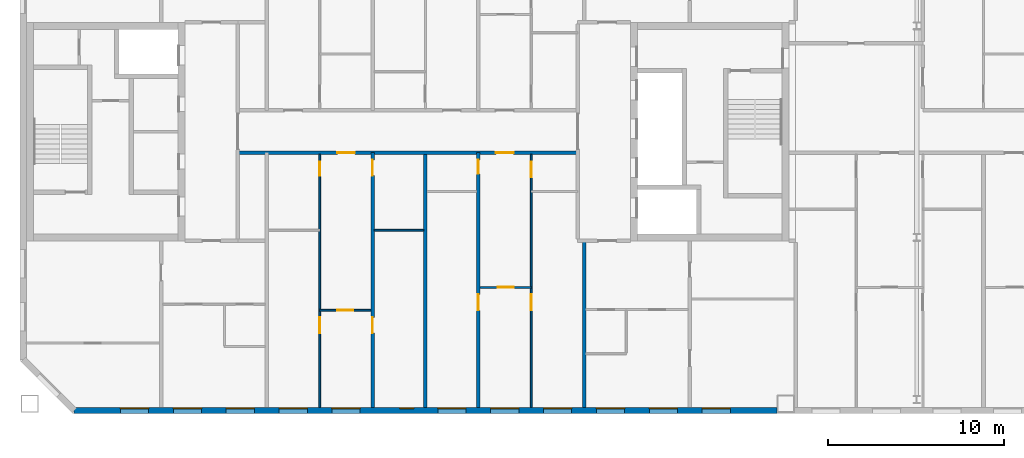
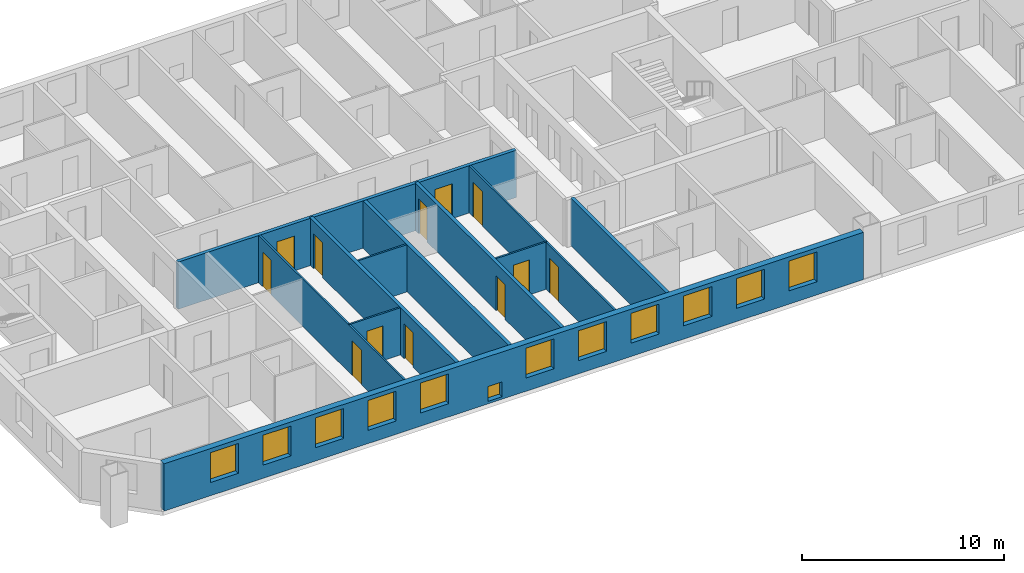
# One storey, part 5 of 19: 12 doors, 12 windows, 11 walls, 24 openings.
"""IFC4 building model written with IfcOpenShell, lengths in metres."""

from ifc_helpers import new_model, si_unit, direction, frame, frame_2d, origin, place, context, subcontext, project, spatial, rectangle, extrude, material, layer, layer_set, type_object, element, fill, save


model = new_model("IFC4")

# Units and contexts
model_context = context("Model", 3, precision=1e-05, world=origin(), true_north=direction((0.0, 1.0)))
body_context = subcontext(model_context, "Body", "Model", "MODEL_VIEW")
ifc_project = project(units=[si_unit("LENGTHUNIT", "METRE"), si_unit("AREAUNIT", "SQUARE_METRE"), si_unit("VOLUMEUNIT", "CUBIC_METRE"), si_unit("PLANEANGLEUNIT", "RADIAN"), si_unit("MASSUNIT", "GRAM", prefix="KILO")], contexts=[model_context])

# Site, building, storey
site_placement = place(None, origin())
site = spatial("IfcSite", under=ifc_project, at=site_placement, CompositionType="ELEMENT")
building_placement = place(site_placement, origin())
building = spatial("IfcBuilding", under=site, at=building_placement, Name="Tuart Gate Housing", CompositionType="ELEMENT")
storey_placement = place(building_placement, frame((0.0, 0.0, 233.800048828125)))
storey = spatial("IfcBuildingStorey", under=building, at=storey_placement, Name="L66", CompositionType="ELEMENT", Elevation=233.800048828125)

# Wall, openings, windows
ifc_material_1 = material(Name="Brick", Category="masonry")
ifc_layer_1 = layer(ifc_material_1, 0.360107421875)
ifc_layer_set_1 = layer_set([ifc_layer_1], Name="Brick pier and spandrel wall 360")
wall_type_1 = type_object("IfcWallType", Name="Brick pier and spandrel wall 360", PredefinedType="STANDARD", material=ifc_layer_set_1)
wall_1_placement = place(storey_placement, frame((35.07470703125, 54.179931640625, 0.0), z_axis=(0.0, 0.0, 1.0), x_axis=(1.0, 0.0, 0.0)))
wall_1 = element("IfcWall", 1, at=wall_1_placement, inside=storey, type_object=wall_type_1, Name="External wall BLK-S L66", PredefinedType="STANDARD", context=body_context, shape_type="SweptSolid", body=[
    extrude(rectangle(XDim=39.875244140625, YDim=0.360107421875, at=frame_2d((19.9375, 0.0))), origin(), (0.0, 0.0, 1.0), 2.849853515625),
])
opening_1_placement = place(wall_1_placement, frame((2.62548828125, 0.0, 0.800048828125)))
opening_1 = element("IfcOpeningElement", 2, at=opening_1_placement, cuts=wall_1, Name="Opening W1", PredefinedType="OPENING", context=body_context, shape_type="SweptSolid", body=[
    extrude(rectangle(XDim=1.60009765625, YDim=1.800048828125, at=frame_2d((0.800048828125, 0.89990234375))), frame((0.0, 0.18994140625, 0.0), z_axis=(0.0, -1.0, 0.0), x_axis=(1.0, 0.0, 0.0)), (0.0, 0.0, 1.0), 0.380126953125),
])
opening_2_placement = place(wall_1_placement, frame((5.62548828125, 0.0, 0.800048828125)))
opening_2 = element("IfcOpeningElement", 3, at=opening_2_placement, cuts=wall_1, Name="Opening W1", PredefinedType="OPENING", context=body_context, shape_type="SweptSolid", body=[
    extrude(rectangle(XDim=1.60009765625, YDim=1.800048828125, at=frame_2d((0.800048828125, 0.89990234375))), frame((0.0, 0.18994140625, 0.0), z_axis=(0.0, -1.0, 0.0), x_axis=(1.0, 0.0, 0.0)), (0.0, 0.0, 1.0), 0.380126953125),
])
opening_3_placement = place(wall_1_placement, frame((8.62548828125, 0.0, 0.800048828125)))
opening_3 = element("IfcOpeningElement", 4, at=opening_3_placement, cuts=wall_1, Name="Opening W1", PredefinedType="OPENING", context=body_context, shape_type="SweptSolid", body=[
    extrude(rectangle(XDim=1.60009765625, YDim=1.800048828125, at=frame_2d((0.800048828125, 0.89990234375))), frame((0.0, 0.18994140625, 0.0), z_axis=(0.0, -1.0, 0.0), x_axis=(1.0, 0.0, 0.0)), (0.0, 0.0, 1.0), 0.380126953125),
])
opening_4_placement = place(wall_1_placement, frame((11.62548828125, 0.0, 0.800048828125)))
opening_4 = element("IfcOpeningElement", 5, at=opening_4_placement, cuts=wall_1, Name="Opening W1", PredefinedType="OPENING", context=body_context, shape_type="SweptSolid", body=[
    extrude(rectangle(XDim=1.60009765625, YDim=1.800048828125, at=frame_2d((0.800048828125, 0.89990234375))), frame((0.0, 0.18994140625, 0.0), z_axis=(0.0, -1.0, 0.0), x_axis=(1.0, 0.0, 0.0)), (0.0, 0.0, 1.0), 0.380126953125),
])
opening_5_placement = place(wall_1_placement, frame((14.62548828125, 0.0, 0.800048828125)))
opening_5 = element("IfcOpeningElement", 6, at=opening_5_placement, cuts=wall_1, Name="Opening W1", PredefinedType="OPENING", context=body_context, shape_type="SweptSolid", body=[
    extrude(rectangle(XDim=1.60009765625, YDim=1.800048828125, at=frame_2d((0.800048828125, 0.89990234375))), frame((0.0, 0.18994140625, 0.0), z_axis=(0.0, -1.0, 0.0), x_axis=(1.0, 0.0, 0.0)), (0.0, 0.0, 1.0), 0.380126953125),
])
opening_6_placement = place(wall_1_placement, frame((18.475341796875, 0.0, 0.14990234375)))
opening_6 = element("IfcOpeningElement", 7, at=opening_6_placement, cuts=wall_1, Name="Opening W1V", PredefinedType="OPENING", context=body_context, shape_type="SweptSolid", body=[
    extrude(rectangle(XDim=0.800048828125, YDim=0.89990234375, at=frame_2d((0.39990234375, 0.449951171875))), frame((0.0, 0.18994140625, 0.0), z_axis=(0.0, -1.0, 0.0), x_axis=(1.0, 0.0, 0.0)), (0.0, 0.0, 1.0), 0.380126953125),
])
opening_7_placement = place(wall_1_placement, frame((20.62548828125, 0.0, 0.800048828125)))
opening_7 = element("IfcOpeningElement", 8, at=opening_7_placement, cuts=wall_1, Name="Opening W1", PredefinedType="OPENING", context=body_context, shape_type="SweptSolid", body=[
    extrude(rectangle(XDim=1.60009765625, YDim=1.800048828125, at=frame_2d((0.800048828125, 0.89990234375))), frame((0.0, 0.18994140625, 0.0), z_axis=(0.0, -1.0, 0.0), x_axis=(1.0, 0.0, 0.0)), (0.0, 0.0, 1.0), 0.380126953125),
])
opening_8_placement = place(wall_1_placement, frame((23.62548828125, 0.0, 0.800048828125)))
opening_8 = element("IfcOpeningElement", 9, at=opening_8_placement, cuts=wall_1, Name="Opening W1", PredefinedType="OPENING", context=body_context, shape_type="SweptSolid", body=[
    extrude(rectangle(XDim=1.60009765625, YDim=1.800048828125, at=frame_2d((0.800048828125, 0.89990234375))), frame((0.0, 0.18994140625, 0.0), z_axis=(0.0, -1.0, 0.0), x_axis=(1.0, 0.0, 0.0)), (0.0, 0.0, 1.0), 0.380126953125),
])
opening_9_placement = place(wall_1_placement, frame((26.62548828125, 0.0, 0.800048828125)))
opening_9 = element("IfcOpeningElement", 10, at=opening_9_placement, cuts=wall_1, Name="Opening W1", PredefinedType="OPENING", context=body_context, shape_type="SweptSolid", body=[
    extrude(rectangle(XDim=1.60009765625, YDim=1.800048828125, at=frame_2d((0.800048828125, 0.89990234375))), frame((0.0, 0.18994140625, 0.0), z_axis=(0.0, -1.0, 0.0), x_axis=(1.0, 0.0, 0.0)), (0.0, 0.0, 1.0), 0.380126953125),
])
opening_10_placement = place(wall_1_placement, frame((29.62548828125, 0.0, 0.800048828125)))
opening_10 = element("IfcOpeningElement", 11, at=opening_10_placement, cuts=wall_1, Name="Opening W1", PredefinedType="OPENING", context=body_context, shape_type="SweptSolid", body=[
    extrude(rectangle(XDim=1.60009765625, YDim=1.800048828125, at=frame_2d((0.800048828125, 0.89990234375))), frame((0.0, 0.18994140625, 0.0), z_axis=(0.0, -1.0, 0.0), x_axis=(1.0, 0.0, 0.0)), (0.0, 0.0, 1.0), 0.380126953125),
])
opening_11_placement = place(wall_1_placement, frame((32.62548828125, 0.0, 0.800048828125)))
opening_11 = element("IfcOpeningElement", 12, at=opening_11_placement, cuts=wall_1, Name="Opening W1", PredefinedType="OPENING", context=body_context, shape_type="SweptSolid", body=[
    extrude(rectangle(XDim=1.60009765625, YDim=1.800048828125, at=frame_2d((0.800048828125, 0.89990234375))), frame((0.0, 0.18994140625, 0.0), z_axis=(0.0, -1.0, 0.0), x_axis=(1.0, 0.0, 0.0)), (0.0, 0.0, 1.0), 0.380126953125),
])
opening_12_placement = place(wall_1_placement, frame((35.62548828125, 0.0, 0.800048828125)))
opening_12 = element("IfcOpeningElement", 13, at=opening_12_placement, cuts=wall_1, Name="Opening W1", PredefinedType="OPENING", context=body_context, shape_type="SweptSolid", body=[
    extrude(rectangle(XDim=1.60009765625, YDim=1.800048828125, at=frame_2d((0.800048828125, 0.89990234375))), frame((0.0, 0.18994140625, 0.0), z_axis=(0.0, -1.0, 0.0), x_axis=(1.0, 0.0, 0.0)), (0.0, 0.0, 1.0), 0.380126953125),
])
ifc_material_2 = material(Name="Aluminium frame with clear glass", Category="aluminium")
window_type_1 = type_object("IfcWindowType", Name="Punched window 1600 x 1800", PartitioningType="SINGLE_PANEL", PredefinedType="WINDOW", material=ifc_material_2)
window_1_placement = place(opening_1_placement, origin())
window_1 = element("IfcWindow", 14, at=window_1_placement, inside=storey, type_object=window_type_1, Name="Window W1", OverallHeight=1.800048828125, OverallWidth=1.60009765625, PartitioningType="SINGLE_PANEL", PredefinedType="WINDOW", context=body_context, shape_type="SweptSolid", body=[
    extrude(rectangle(XDim=1.60009765625, YDim=1.800048828125, at=frame_2d((0.800048828125, 0.89990234375))), frame((0.0, 0.150146484375, 0.0), z_axis=(0.0, -1.0, 0.0), x_axis=(1.0, 0.0, 0.0)), (0.0, 0.0, 1.0), 0.06005859375),
])
fill(opening_1, window_1)
window_2_placement = place(opening_2_placement, origin())
window_2 = element("IfcWindow", 15, at=window_2_placement, inside=storey, type_object=window_type_1, Name="Window W1", OverallHeight=1.800048828125, OverallWidth=1.60009765625, PartitioningType="SINGLE_PANEL", PredefinedType="WINDOW", context=body_context, shape_type="SweptSolid", body=[
    extrude(rectangle(XDim=1.60009765625, YDim=1.800048828125, at=frame_2d((0.800048828125, 0.89990234375))), frame((0.0, 0.150146484375, 0.0), z_axis=(0.0, -1.0, 0.0), x_axis=(1.0, 0.0, 0.0)), (0.0, 0.0, 1.0), 0.06005859375),
])
fill(opening_2, window_2)
window_3_placement = place(opening_3_placement, origin())
window_3 = element("IfcWindow", 16, at=window_3_placement, inside=storey, type_object=window_type_1, Name="Window W1", OverallHeight=1.800048828125, OverallWidth=1.60009765625, PartitioningType="SINGLE_PANEL", PredefinedType="WINDOW", context=body_context, shape_type="SweptSolid", body=[
    extrude(rectangle(XDim=1.60009765625, YDim=1.800048828125, at=frame_2d((0.800048828125, 0.89990234375))), frame((0.0, 0.150146484375, 0.0), z_axis=(0.0, -1.0, 0.0), x_axis=(1.0, 0.0, 0.0)), (0.0, 0.0, 1.0), 0.06005859375),
])
fill(opening_3, window_3)
window_4_placement = place(opening_4_placement, origin())
window_4 = element("IfcWindow", 17, at=window_4_placement, inside=storey, type_object=window_type_1, Name="Window W1", OverallHeight=1.800048828125, OverallWidth=1.60009765625, PartitioningType="SINGLE_PANEL", PredefinedType="WINDOW", context=body_context, shape_type="SweptSolid", body=[
    extrude(rectangle(XDim=1.60009765625, YDim=1.800048828125, at=frame_2d((0.800048828125, 0.89990234375))), frame((0.0, 0.150146484375, 0.0), z_axis=(0.0, -1.0, 0.0), x_axis=(1.0, 0.0, 0.0)), (0.0, 0.0, 1.0), 0.06005859375),
])
fill(opening_4, window_4)
window_5_placement = place(opening_5_placement, origin())
window_5 = element("IfcWindow", 18, at=window_5_placement, inside=storey, type_object=window_type_1, Name="Window W1", OverallHeight=1.800048828125, OverallWidth=1.60009765625, PartitioningType="SINGLE_PANEL", PredefinedType="WINDOW", context=body_context, shape_type="SweptSolid", body=[
    extrude(rectangle(XDim=1.60009765625, YDim=1.800048828125, at=frame_2d((0.800048828125, 0.89990234375))), frame((0.0, 0.150146484375, 0.0), z_axis=(0.0, -1.0, 0.0), x_axis=(1.0, 0.0, 0.0)), (0.0, 0.0, 1.0), 0.06005859375),
])
fill(opening_5, window_5)
window_6_placement = place(opening_7_placement, origin())
window_6 = element("IfcWindow", 19, at=window_6_placement, inside=storey, type_object=window_type_1, Name="Window W1", OverallHeight=1.800048828125, OverallWidth=1.60009765625, PartitioningType="SINGLE_PANEL", PredefinedType="WINDOW", context=body_context, shape_type="SweptSolid", body=[
    extrude(rectangle(XDim=1.60009765625, YDim=1.800048828125, at=frame_2d((0.800048828125, 0.89990234375))), frame((0.0, 0.150146484375, 0.0), z_axis=(0.0, -1.0, 0.0), x_axis=(1.0, 0.0, 0.0)), (0.0, 0.0, 1.0), 0.06005859375),
])
fill(opening_7, window_6)
window_7_placement = place(opening_8_placement, origin())
window_7 = element("IfcWindow", 20, at=window_7_placement, inside=storey, type_object=window_type_1, Name="Window W1", OverallHeight=1.800048828125, OverallWidth=1.60009765625, PartitioningType="SINGLE_PANEL", PredefinedType="WINDOW", context=body_context, shape_type="SweptSolid", body=[
    extrude(rectangle(XDim=1.60009765625, YDim=1.800048828125, at=frame_2d((0.800048828125, 0.89990234375))), frame((0.0, 0.150146484375, 0.0), z_axis=(0.0, -1.0, 0.0), x_axis=(1.0, 0.0, 0.0)), (0.0, 0.0, 1.0), 0.06005859375),
])
fill(opening_8, window_7)
window_8_placement = place(opening_9_placement, origin())
window_8 = element("IfcWindow", 21, at=window_8_placement, inside=storey, type_object=window_type_1, Name="Window W1", OverallHeight=1.800048828125, OverallWidth=1.60009765625, PartitioningType="SINGLE_PANEL", PredefinedType="WINDOW", context=body_context, shape_type="SweptSolid", body=[
    extrude(rectangle(XDim=1.60009765625, YDim=1.800048828125, at=frame_2d((0.800048828125, 0.89990234375))), frame((0.0, 0.150146484375, 0.0), z_axis=(0.0, -1.0, 0.0), x_axis=(1.0, 0.0, 0.0)), (0.0, 0.0, 1.0), 0.06005859375),
])
fill(opening_9, window_8)
window_9_placement = place(opening_10_placement, origin())
window_9 = element("IfcWindow", 22, at=window_9_placement, inside=storey, type_object=window_type_1, Name="Window W1", OverallHeight=1.800048828125, OverallWidth=1.60009765625, PartitioningType="SINGLE_PANEL", PredefinedType="WINDOW", context=body_context, shape_type="SweptSolid", body=[
    extrude(rectangle(XDim=1.60009765625, YDim=1.800048828125, at=frame_2d((0.800048828125, 0.89990234375))), frame((0.0, 0.150146484375, 0.0), z_axis=(0.0, -1.0, 0.0), x_axis=(1.0, 0.0, 0.0)), (0.0, 0.0, 1.0), 0.06005859375),
])
fill(opening_10, window_9)
window_10_placement = place(opening_11_placement, origin())
window_10 = element("IfcWindow", 23, at=window_10_placement, inside=storey, type_object=window_type_1, Name="Window W1", OverallHeight=1.800048828125, OverallWidth=1.60009765625, PartitioningType="SINGLE_PANEL", PredefinedType="WINDOW", context=body_context, shape_type="SweptSolid", body=[
    extrude(rectangle(XDim=1.60009765625, YDim=1.800048828125, at=frame_2d((0.800048828125, 0.89990234375))), frame((0.0, 0.150146484375, 0.0), z_axis=(0.0, -1.0, 0.0), x_axis=(1.0, 0.0, 0.0)), (0.0, 0.0, 1.0), 0.06005859375),
])
fill(opening_11, window_10)
window_11_placement = place(opening_12_placement, origin())
window_11 = element("IfcWindow", 24, at=window_11_placement, inside=storey, type_object=window_type_1, Name="Window W1", OverallHeight=1.800048828125, OverallWidth=1.60009765625, PartitioningType="SINGLE_PANEL", PredefinedType="WINDOW", context=body_context, shape_type="SweptSolid", body=[
    extrude(rectangle(XDim=1.60009765625, YDim=1.800048828125, at=frame_2d((0.800048828125, 0.89990234375))), frame((0.0, 0.150146484375, 0.0), z_axis=(0.0, -1.0, 0.0), x_axis=(1.0, 0.0, 0.0)), (0.0, 0.0, 1.0), 0.06005859375),
])
fill(opening_12, window_11)
ifc_material_3 = material(Name="Aluminium frame with clear glass", Category="aluminium")
window_type_2 = type_object("IfcWindowType", Name="Punched window 800 x 900", PartitioningType="SINGLE_PANEL", PredefinedType="WINDOW", material=ifc_material_3)
window_12_placement = place(opening_6_placement, origin())
window_12 = element("IfcWindow", 25, at=window_12_placement, inside=storey, type_object=window_type_2, Name="Window W1V", OverallHeight=0.89990234375, OverallWidth=0.800048828125, PartitioningType="SINGLE_PANEL", PredefinedType="WINDOW", context=body_context, shape_type="SweptSolid", body=[
    extrude(rectangle(XDim=0.800048828125, YDim=0.89990234375, at=frame_2d((0.39990234375, 0.449951171875))), frame((0.0, 0.150146484375, 0.0), z_axis=(0.0, -1.0, 0.0), x_axis=(1.0, 0.0, 0.0)), (0.0, 0.0, 1.0), 0.06005859375),
])
fill(opening_6, window_12)

# Wall, openings, doors
ifc_material_4 = material(Name="Concrete masonry 15 MPa", Category="masonry")
ifc_layer_2 = layer(ifc_material_4, 0.199951171875)
ifc_layer_set_2 = layer_set([ifc_layer_2], Name="Corridor wall masonry 200")
wall_type_2 = type_object("IfcWallType", Name="Corridor wall masonry 200", PredefinedType="PARTITIONING", material=ifc_layer_set_2)
wall_2_placement = place(storey_placement, frame((44.360107421875, 68.800048828125, 0.0), z_axis=(0.0, 0.0, 1.0), x_axis=(1.0, 0.0, 0.0)))
wall_2 = element("IfcWall", 26, at=wall_2_placement, inside=storey, type_object=wall_type_2, Name="Corridor wall masonry 200", PredefinedType="PARTITIONING", context=body_context, shape_type="SweptSolid", body=[
    extrude(rectangle(XDim=19.27978515625, YDim=0.199951171875, at=frame_2d((9.639892578125, 0.0))), origin(), (0.0, 0.0, 1.0), 2.849853515625),
])
opening_13_placement = place(wall_2_placement, frame((14.639892578125, 0.0, 0.0)))
opening_13 = element("IfcOpeningElement", 27, at=opening_13_placement, cuts=wall_2, Name="Opening D2475", PredefinedType="OPENING", context=body_context, shape_type="SweptSolid", body=[
    extrude(rectangle(XDim=1.0, YDim=2.10009765625, at=frame_2d((0.5, 1.050048828125))), frame((0.0, 0.10986328125, 0.0), z_axis=(0.0, -1.0, 0.0), x_axis=(1.0, 0.0, 0.0)), (0.0, 0.0, 1.0), 0.219970703125),
])
opening_14_placement = place(wall_2_placement, frame((5.639892578125, 0.0, 0.0)))
opening_14 = element("IfcOpeningElement", 28, at=opening_14_placement, cuts=wall_2, Name="Opening D2476", PredefinedType="OPENING", context=body_context, shape_type="SweptSolid", body=[
    extrude(rectangle(XDim=1.0, YDim=2.10009765625, at=frame_2d((0.5, 1.050048828125))), frame((0.0, 0.10986328125, 0.0), z_axis=(0.0, -1.0, 0.0), x_axis=(1.0, 0.0, 0.0)), (0.0, 0.0, 1.0), 0.219970703125),
])
ifc_material_5 = material(Name="Timber door leaf in steel frame", Category="steel")
door_type_1 = type_object("IfcDoorType", Name="Flat entrance door 1000 RH", OperationType="SINGLE_SWING_RIGHT", PredefinedType="DOOR", material=ifc_material_5)
door_1_placement = place(opening_13_placement, frame((1.0, 0.0, 0.0), z_axis=(0.0, 0.0, 1.0), x_axis=(-1.0, 0.0, 0.0)))
door_1 = element("IfcDoor", 29, at=door_1_placement, inside=storey, type_object=door_type_1, Name="Flat entrance door", OperationType="SINGLE_SWING_RIGHT", OverallHeight=2.10009765625, OverallWidth=1.0, PredefinedType="DOOR", context=body_context, shape_type="SweptSolid", body=[
    extrude(rectangle(XDim=1.0, YDim=2.10009765625, at=frame_2d((0.5, 1.050048828125))), frame((0.0, 0.025146484375, 0.0), z_axis=(0.0, -1.0, 0.0), x_axis=(1.0, 0.0, 0.0)), (0.0, 0.0, 1.0), 0.050048828125),
])
fill(opening_13, door_1)
door_2_placement = place(opening_14_placement, frame((1.0, 0.0, 0.0), z_axis=(0.0, 0.0, 1.0), x_axis=(-1.0, 0.0, 0.0)))
door_2 = element("IfcDoor", 30, at=door_2_placement, inside=storey, type_object=door_type_1, Name="Flat entrance door", OperationType="SINGLE_SWING_RIGHT", OverallHeight=2.10009765625, OverallWidth=1.0, PredefinedType="DOOR", context=body_context, shape_type="SweptSolid", body=[
    extrude(rectangle(XDim=1.0, YDim=2.10009765625, at=frame_2d((0.5, 1.050048828125))), frame((0.0, 0.025146484375, 0.0), z_axis=(0.0, -1.0, 0.0), x_axis=(1.0, 0.0, 0.0)), (0.0, 0.0, 1.0), 0.050048828125),
])
fill(opening_14, door_2)

# Wall, opening, door
ifc_material_6 = material(Name="Gypsum board on steel studs", Category="steel")
ifc_layer_3 = layer(ifc_material_6, 0.10009765625)
ifc_layer_set_3 = layer_set([ifc_layer_3], Name="Partition 100")
wall_type_3 = type_object("IfcWallType", Name="Partition 100", PredefinedType="PARTITIONING", material=ifc_layer_set_3)
wall_3_placement = place(storey_placement, frame((49.0, 59.860107421875, 0.0), z_axis=(0.0, 0.0, 1.0), x_axis=(1.0, 0.0, 0.0)))
wall_3 = element("IfcWall", 31, at=wall_3_placement, inside=storey, type_object=wall_type_3, Name="Partition 100", PredefinedType="PARTITIONING", context=body_context, shape_type="SweptSolid", body=[
    extrude(rectangle(XDim=2.89990234375, YDim=0.10009765625, at=frame_2d((1.449951171875, 0.0))), origin(), (0.0, 0.0, 1.0), 2.849853515625),
])
opening_15_placement = place(wall_3_placement, frame((1.0, 0.0, 0.0)))
opening_15 = element("IfcOpeningElement", 32, at=opening_15_placement, cuts=wall_3, Name="Opening D2494", PredefinedType="OPENING", context=body_context, shape_type="SweptSolid", body=[
    extrude(rectangle(XDim=0.89990234375, YDim=2.10009765625, at=frame_2d((0.449951171875, 1.050048828125))), frame((0.0, 0.06005859375, 0.0), z_axis=(0.0, -1.0, 0.0), x_axis=(1.0, 0.0, 0.0)), (0.0, 0.0, 1.0), 0.1201171875),
])
ifc_material_7 = material(Name="Timber door leaf in steel frame", Category="steel")
door_type_2 = type_object("IfcDoorType", Name="Internal door 900", OperationType="SINGLE_SWING_LEFT", PredefinedType="DOOR", material=ifc_material_7)
door_3_placement = place(opening_15_placement, origin())
door_3 = element("IfcDoor", 33, at=door_3_placement, inside=storey, type_object=door_type_2, Name="Internal door", OperationType="SINGLE_SWING_LEFT", OverallHeight=2.10009765625, OverallWidth=0.89990234375, PredefinedType="DOOR", context=body_context, shape_type="SweptSolid", body=[
    extrude(rectangle(XDim=0.89990234375, YDim=2.10009765625, at=frame_2d((0.449951171875, 1.050048828125))), frame((0.0, 0.02490234375, 0.0), z_axis=(0.0, -1.0, 0.0), x_axis=(1.0, 0.0, 0.0)), (0.0, 0.0, 1.0), 0.050048828125),
])
fill(opening_15, door_3)

wall_4_placement = place(storey_placement, frame((58.10009765625, 61.159912109375, 0.0), z_axis=(0.0, 0.0, 1.0), x_axis=(1.0, 0.0, 0.0)))
wall_4 = element("IfcWall", 34, at=wall_4_placement, inside=storey, type_object=wall_type_3, Name="Partition 100", PredefinedType="PARTITIONING", context=body_context, shape_type="SweptSolid", body=[
    extrude(rectangle(XDim=2.89990234375, YDim=0.10009765625, at=frame_2d((1.449951171875, 0.0))), origin(), (0.0, 0.0, 1.0), 2.849853515625),
])
opening_16_placement = place(wall_4_placement, frame((1.0, 0.0, 0.0)))
opening_16 = element("IfcOpeningElement", 35, at=opening_16_placement, cuts=wall_4, Name="Opening D2489", PredefinedType="OPENING", context=body_context, shape_type="SweptSolid", body=[
    extrude(rectangle(XDim=0.89990234375, YDim=2.10009765625, at=frame_2d((0.449951171875, 1.050048828125))), frame((0.0, 0.06005859375, 0.0), z_axis=(0.0, -1.0, 0.0), x_axis=(1.0, 0.0, 0.0)), (0.0, 0.0, 1.0), 0.1201171875),
])
ifc_material_8 = material(Name="Timber door leaf in steel frame", Category="steel")
door_type_3 = type_object("IfcDoorType", Name="Internal door 900 RH", OperationType="SINGLE_SWING_RIGHT", PredefinedType="DOOR", material=ifc_material_8)
door_4_placement = place(opening_16_placement, origin())
door_4 = element("IfcDoor", 36, at=door_4_placement, inside=storey, type_object=door_type_3, Name="Internal door", OperationType="SINGLE_SWING_RIGHT", OverallHeight=2.10009765625, OverallWidth=0.89990234375, PredefinedType="DOOR", context=body_context, shape_type="SweptSolid", body=[
    extrude(rectangle(XDim=0.89990234375, YDim=2.10009765625, at=frame_2d((0.449951171875, 1.050048828125))), frame((0.0, 0.02490234375, 0.0), z_axis=(0.0, -1.0, 0.0), x_axis=(1.0, 0.0, 0.0)), (0.0, 0.0, 1.0), 0.050048828125),
])
fill(opening_16, door_4)

# Wall
wall_5_placement = place(storey_placement, frame((52.10009765625, 64.39990234375, 0.0), z_axis=(0.0, 0.0, 1.0), x_axis=(1.0, 0.0, 0.0)))
element("IfcWall", 37, at=wall_5_placement, inside=storey, type_object=wall_type_3, Name="Partition 100", PredefinedType="PARTITIONING", context=body_context, shape_type="SweptSolid", body=[
    extrude(rectangle(XDim=2.7998046875, YDim=0.10009765625, at=frame_2d((1.39990234375, 0.0))), origin(), (0.0, 0.0, 1.0), 2.849853515625),
])

# Wall, openings, doors
wall_6_placement = place(storey_placement, frame((49.0, 54.360107421875, 0.0), z_axis=(0.0, 0.0, 1.0), x_axis=(0.0, 1.0, 0.0)))
wall_6 = element("IfcWall", 38, at=wall_6_placement, inside=storey, type_object=wall_type_3, Name="Partition 100", PredefinedType="PARTITIONING", context=body_context, shape_type="SweptSolid", body=[
    extrude(rectangle(XDim=14.33984375, YDim=0.10009765625, at=frame_2d((7.169921875, 0.0))), origin(), (0.0, 0.0, 1.0), 2.849853515625),
])
opening_17_placement = place(wall_6_placement, frame((4.199951171875, 0.0, 0.0)))
opening_17 = element("IfcOpeningElement", 39, at=opening_17_placement, cuts=wall_6, Name="Opening D2485", PredefinedType="OPENING", context=body_context, shape_type="SweptSolid", body=[
    extrude(rectangle(XDim=0.89990234375, YDim=2.10009765625, at=frame_2d((0.449951171875, 1.050048828125))), frame((0.0, 0.06005859375, 0.0), z_axis=(0.0, -1.0, 0.0), x_axis=(1.0, 0.0, 0.0)), (0.0, 0.0, 1.0), 0.1201171875),
])
opening_18_placement = place(wall_6_placement, frame((13.139892578125, 0.0, 0.0)))
opening_18 = element("IfcOpeningElement", 40, at=opening_18_placement, cuts=wall_6, Name="Opening D2486", PredefinedType="OPENING", context=body_context, shape_type="SweptSolid", body=[
    extrude(rectangle(XDim=0.800048828125, YDim=2.10009765625, at=frame_2d((0.39990234375, 1.050048828125))), frame((0.0, 0.06005859375, 0.0), z_axis=(0.0, -1.0, 0.0), x_axis=(1.0, 0.0, 0.0)), (0.0, 0.0, 1.0), 0.1201171875),
])
door_5_placement = place(opening_17_placement, origin())
door_5 = element("IfcDoor", 41, at=door_5_placement, inside=storey, type_object=door_type_2, Name="Internal door", OperationType="SINGLE_SWING_LEFT", OverallHeight=2.10009765625, OverallWidth=0.89990234375, PredefinedType="DOOR", context=body_context, shape_type="SweptSolid", body=[
    extrude(rectangle(XDim=0.89990234375, YDim=2.10009765625, at=frame_2d((0.449951171875, 1.050048828125))), frame((0.0, 0.02490234375, 0.0), z_axis=(0.0, -1.0, 0.0), x_axis=(1.0, 0.0, 0.0)), (0.0, 0.0, 1.0), 0.050048828125),
])
fill(opening_17, door_5)
ifc_material_9 = material(Name="Timber door leaf in steel frame", Category="steel")
door_type_4 = type_object("IfcDoorType", Name="Store door 800 RH", OperationType="SINGLE_SWING_RIGHT", PredefinedType="DOOR", material=ifc_material_9)
door_6_placement = place(opening_18_placement, origin())
door_6 = element("IfcDoor", 42, at=door_6_placement, inside=storey, type_object=door_type_4, Name="Store door", OperationType="SINGLE_SWING_RIGHT", OverallHeight=2.10009765625, OverallWidth=0.800048828125, PredefinedType="DOOR", context=body_context, shape_type="SweptSolid", body=[
    extrude(rectangle(XDim=0.800048828125, YDim=2.10009765625, at=frame_2d((0.39990234375, 1.050048828125))), frame((0.0, 0.02490234375, 0.0), z_axis=(0.0, -1.0, 0.0), x_axis=(1.0, 0.0, 0.0)), (0.0, 0.0, 1.0), 0.050048828125),
])
fill(opening_18, door_6)

wall_7_placement = place(storey_placement, frame((61.0, 54.360107421875, 0.0), z_axis=(0.0, 0.0, 1.0), x_axis=(0.0, 1.0, 0.0)))
wall_7 = element("IfcWall", 43, at=wall_7_placement, inside=storey, type_object=wall_type_3, Name="Partition 100", PredefinedType="PARTITIONING", context=body_context, shape_type="SweptSolid", body=[
    extrude(rectangle(XDim=14.33984375, YDim=0.10009765625, at=frame_2d((7.169921875, 0.0))), origin(), (0.0, 0.0, 1.0), 2.849853515625),
])
opening_19_placement = place(wall_7_placement, frame((5.5, 0.0, 0.0)))
opening_19 = element("IfcOpeningElement", 44, at=opening_19_placement, cuts=wall_7, Name="Opening D2488", PredefinedType="OPENING", context=body_context, shape_type="SweptSolid", body=[
    extrude(rectangle(XDim=0.89990234375, YDim=2.10009765625, at=frame_2d((0.449951171875, 1.050048828125))), frame((0.0, 0.06005859375, 0.0), z_axis=(0.0, -1.0, 0.0), x_axis=(1.0, 0.0, 0.0)), (0.0, 0.0, 1.0), 0.1201171875),
])
opening_20_placement = place(wall_7_placement, frame((13.0400390625, 0.0, 0.0)))
opening_20 = element("IfcOpeningElement", 45, at=opening_20_placement, cuts=wall_7, Name="Opening D2487", PredefinedType="OPENING", context=body_context, shape_type="SweptSolid", body=[
    extrude(rectangle(XDim=0.89990234375, YDim=2.10009765625, at=frame_2d((0.449951171875, 1.050048828125))), frame((0.0, 0.06005859375, 0.0), z_axis=(0.0, -1.0, 0.0), x_axis=(1.0, 0.0, 0.0)), (0.0, 0.0, 1.0), 0.1201171875),
])
ifc_material_10 = material(Name="Timber door leaf in steel frame", Category="steel")
door_type_5 = type_object("IfcDoorType", Name="Bathroom door 900", OperationType="SINGLE_SWING_LEFT", PredefinedType="DOOR", material=ifc_material_10)
door_7_placement = place(opening_20_placement, frame((0.89990234375, 0.0, 0.0), z_axis=(0.0, 0.0, 1.0), x_axis=(-1.0, 0.0, 0.0)))
door_7 = element("IfcDoor", 46, at=door_7_placement, inside=storey, type_object=door_type_5, Name="Bathroom door", OperationType="SINGLE_SWING_LEFT", OverallHeight=2.10009765625, OverallWidth=0.89990234375, PredefinedType="DOOR", context=body_context, shape_type="SweptSolid", body=[
    extrude(rectangle(XDim=0.89990234375, YDim=2.10009765625, at=frame_2d((0.449951171875, 1.050048828125))), frame((0.0, 0.025146484375, 0.0), z_axis=(0.0, -1.0, 0.0), x_axis=(1.0, 0.0, 0.0)), (0.0, 0.0, 1.0), 0.050048828125),
])
fill(opening_20, door_7)
door_8_placement = place(opening_19_placement, frame((0.89990234375, 0.0, 0.0), z_axis=(0.0, 0.0, 1.0), x_axis=(-1.0, 0.0, 0.0)))
door_8 = element("IfcDoor", 47, at=door_8_placement, inside=storey, type_object=door_type_3, Name="Internal door", OperationType="SINGLE_SWING_RIGHT", OverallHeight=2.10009765625, OverallWidth=0.89990234375, PredefinedType="DOOR", context=body_context, shape_type="SweptSolid", body=[
    extrude(rectangle(XDim=0.89990234375, YDim=2.10009765625, at=frame_2d((0.449951171875, 1.050048828125))), frame((0.0, 0.025146484375, 0.0), z_axis=(0.0, -1.0, 0.0), x_axis=(1.0, 0.0, 0.0)), (0.0, 0.0, 1.0), 0.050048828125),
])
fill(opening_19, door_8)

ifc_material_11 = material(Name="Concrete C40", Category="concrete")
ifc_layer_4 = layer(ifc_material_11, 0.199951171875)
ifc_layer_set_4 = layer_set([ifc_layer_4], Name="Party wall concrete C40 200")
wall_type_4 = type_object("IfcWallType", Name="Party wall concrete C40 200", PredefinedType="SOLIDWALL", material=ifc_layer_set_4)
wall_8_placement = place(storey_placement, frame((52.0, 54.360107421875, 0.0), z_axis=(0.0, 0.0, 1.0), x_axis=(0.0, 1.0, 0.0)))
wall_8 = element("IfcWall", 48, at=wall_8_placement, inside=storey, type_object=wall_type_4, Name="Party wall concrete C40 200", PredefinedType="SOLIDWALL", context=body_context, shape_type="SweptSolid", body=[
    extrude(rectangle(XDim=14.43994140625, YDim=0.199951171875, at=frame_2d((7.219970703125, 0.0))), origin(), (0.0, 0.0, 1.0), 2.849853515625),
])
opening_21_placement = place(wall_8_placement, frame((4.199951171875, 0.0, 0.0)))
opening_21 = element("IfcOpeningElement", 49, at=opening_21_placement, cuts=wall_8, Name="Opening D2482", PredefinedType="OPENING", context=body_context, shape_type="SweptSolid", body=[
    extrude(rectangle(XDim=0.89990234375, YDim=2.10009765625, at=frame_2d((0.449951171875, 1.050048828125))), frame((0.0, 0.10986328125, 0.0), z_axis=(0.0, -1.0, 0.0), x_axis=(1.0, 0.0, 0.0)), (0.0, 0.0, 1.0), 0.219970703125),
])
opening_22_placement = place(wall_8_placement, frame((13.139892578125, 0.0, 0.0)))
opening_22 = element("IfcOpeningElement", 50, at=opening_22_placement, cuts=wall_8, Name="Opening D2481", PredefinedType="OPENING", context=body_context, shape_type="SweptSolid", body=[
    extrude(rectangle(XDim=0.89990234375, YDim=2.10009765625, at=frame_2d((0.449951171875, 1.050048828125))), frame((0.0, 0.10986328125, 0.0), z_axis=(0.0, -1.0, 0.0), x_axis=(1.0, 0.0, 0.0)), (0.0, 0.0, 1.0), 0.219970703125),
])
door_9_placement = place(opening_22_placement, frame((0.89990234375, 0.0, 0.0), z_axis=(0.0, 0.0, 1.0), x_axis=(-1.0, 0.0, 0.0)))
door_9 = element("IfcDoor", 51, at=door_9_placement, inside=storey, type_object=door_type_5, Name="Bathroom door", OperationType="SINGLE_SWING_LEFT", OverallHeight=2.10009765625, OverallWidth=0.89990234375, PredefinedType="DOOR", context=body_context, shape_type="SweptSolid", body=[
    extrude(rectangle(XDim=0.89990234375, YDim=2.10009765625, at=frame_2d((0.449951171875, 1.050048828125))), frame((0.0, 0.025146484375, 0.0), z_axis=(0.0, -1.0, 0.0), x_axis=(1.0, 0.0, 0.0)), (0.0, 0.0, 1.0), 0.050048828125),
])
fill(opening_22, door_9)
door_10_placement = place(opening_21_placement, frame((0.89990234375, 0.0, 0.0), z_axis=(0.0, 0.0, 1.0), x_axis=(-1.0, 0.0, 0.0)))
door_10 = element("IfcDoor", 52, at=door_10_placement, inside=storey, type_object=door_type_3, Name="Internal door", OperationType="SINGLE_SWING_RIGHT", OverallHeight=2.10009765625, OverallWidth=0.89990234375, PredefinedType="DOOR", context=body_context, shape_type="SweptSolid", body=[
    extrude(rectangle(XDim=0.89990234375, YDim=2.10009765625, at=frame_2d((0.449951171875, 1.050048828125))), frame((0.0, 0.025146484375, 0.0), z_axis=(0.0, -1.0, 0.0), x_axis=(1.0, 0.0, 0.0)), (0.0, 0.0, 1.0), 0.050048828125),
])
fill(opening_21, door_10)

wall_9_placement = place(storey_placement, frame((58.0, 54.360107421875, 0.0), z_axis=(0.0, 0.0, 1.0), x_axis=(0.0, 1.0, 0.0)))
wall_9 = element("IfcWall", 53, at=wall_9_placement, inside=storey, type_object=wall_type_4, Name="Party wall concrete C40 200", PredefinedType="SOLIDWALL", context=body_context, shape_type="SweptSolid", body=[
    extrude(rectangle(XDim=14.43994140625, YDim=0.199951171875, at=frame_2d((7.219970703125, 0.0))), origin(), (0.0, 0.0, 1.0), 2.849853515625),
])
opening_23_placement = place(wall_9_placement, frame((5.5, 0.0, 0.0)))
opening_23 = element("IfcOpeningElement", 54, at=opening_23_placement, cuts=wall_9, Name="Opening D2483", PredefinedType="OPENING", context=body_context, shape_type="SweptSolid", body=[
    extrude(rectangle(XDim=0.89990234375, YDim=2.10009765625, at=frame_2d((0.449951171875, 1.050048828125))), frame((0.0, 0.10986328125, 0.0), z_axis=(0.0, -1.0, 0.0), x_axis=(1.0, 0.0, 0.0)), (0.0, 0.0, 1.0), 0.219970703125),
])
opening_24_placement = place(wall_9_placement, frame((13.239990234375, 0.0, 0.0)))
opening_24 = element("IfcOpeningElement", 55, at=opening_24_placement, cuts=wall_9, Name="Opening D2484", PredefinedType="OPENING", context=body_context, shape_type="SweptSolid", body=[
    extrude(rectangle(XDim=0.800048828125, YDim=2.10009765625, at=frame_2d((0.39990234375, 1.050048828125))), frame((0.0, 0.10986328125, 0.0), z_axis=(0.0, -1.0, 0.0), x_axis=(1.0, 0.0, 0.0)), (0.0, 0.0, 1.0), 0.219970703125),
])
door_11_placement = place(opening_23_placement, origin())
door_11 = element("IfcDoor", 56, at=door_11_placement, inside=storey, type_object=door_type_2, Name="Internal door", OperationType="SINGLE_SWING_LEFT", OverallHeight=2.10009765625, OverallWidth=0.89990234375, PredefinedType="DOOR", context=body_context, shape_type="SweptSolid", body=[
    extrude(rectangle(XDim=0.89990234375, YDim=2.10009765625, at=frame_2d((0.449951171875, 1.050048828125))), frame((0.0, 0.02490234375, 0.0), z_axis=(0.0, -1.0, 0.0), x_axis=(1.0, 0.0, 0.0)), (0.0, 0.0, 1.0), 0.050048828125),
])
fill(opening_23, door_11)
door_12_placement = place(opening_24_placement, origin())
door_12 = element("IfcDoor", 57, at=door_12_placement, inside=storey, type_object=door_type_4, Name="Store door", OperationType="SINGLE_SWING_RIGHT", OverallHeight=2.10009765625, OverallWidth=0.800048828125, PredefinedType="DOOR", context=body_context, shape_type="SweptSolid", body=[
    extrude(rectangle(XDim=0.800048828125, YDim=2.10009765625, at=frame_2d((0.39990234375, 1.050048828125))), frame((0.0, 0.02490234375, 0.0), z_axis=(0.0, -1.0, 0.0), x_axis=(1.0, 0.0, 0.0)), (0.0, 0.0, 1.0), 0.050048828125),
])
fill(opening_24, door_12)

# Walls
wall_10_placement = place(storey_placement, frame((64.0, 54.360107421875, 0.0), z_axis=(0.0, 0.0, 1.0), x_axis=(0.0, 1.0, 0.0)))
element("IfcWall", 58, at=wall_10_placement, inside=storey, type_object=wall_type_4, Name="Party wall concrete C40 200", PredefinedType="SOLIDWALL", context=body_context, shape_type="SweptSolid", body=[
    extrude(rectangle(XDim=9.43994140625, YDim=0.199951171875, at=frame_2d((4.719970703125, 0.0))), origin(), (0.0, 0.0, 1.0), 2.849853515625),
])
ifc_material_12 = material(Name="Concrete masonry 15 MPa", Category="masonry")
ifc_layer_5 = layer(ifc_material_12, 0.199951171875)
ifc_layer_set_5 = layer_set([ifc_layer_5], Name="Party wall masonry 200")
wall_type_5 = type_object("IfcWallType", Name="Party wall masonry 200", PredefinedType="PARTITIONING", material=ifc_layer_set_5)
wall_11_placement = place(storey_placement, frame((55.0, 54.360107421875, 0.0), z_axis=(0.0, 0.0, 1.0), x_axis=(0.0, 1.0, 0.0)))
element("IfcWall", 59, at=wall_11_placement, inside=storey, type_object=wall_type_5, Name="Party wall masonry 200", PredefinedType="PARTITIONING", context=body_context, shape_type="SweptSolid", body=[
    extrude(rectangle(XDim=14.33984375, YDim=0.199951171875, at=frame_2d((7.169921875, 0.0))), origin(), (0.0, 0.0, 1.0), 2.849853515625),
])

save(model, "model.ifc")
